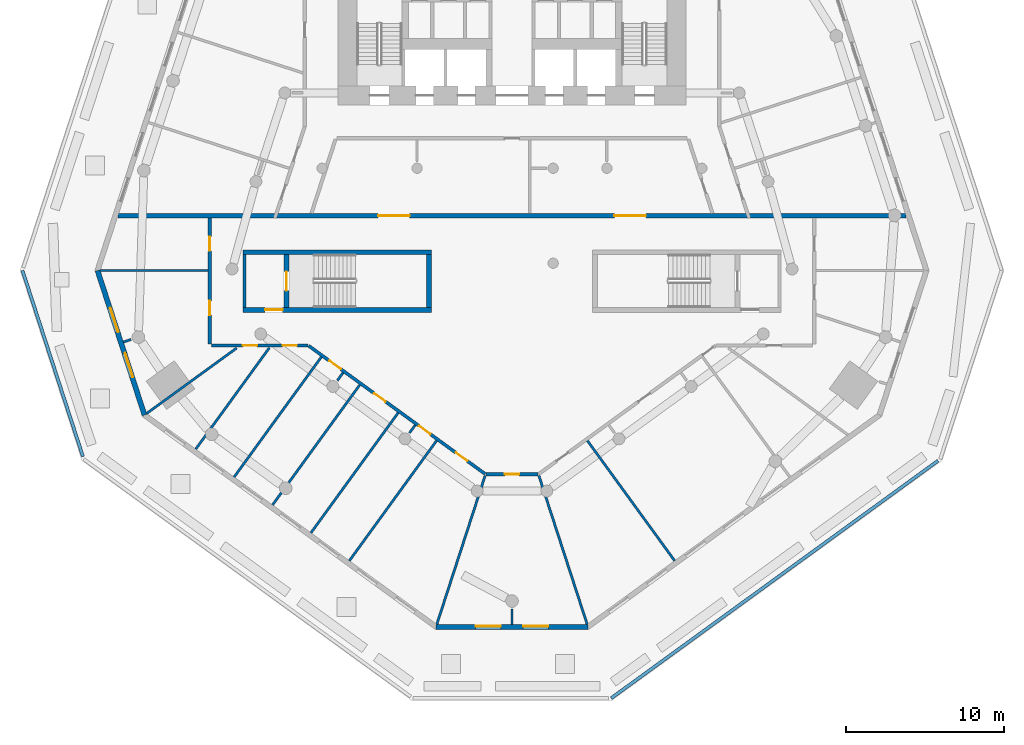
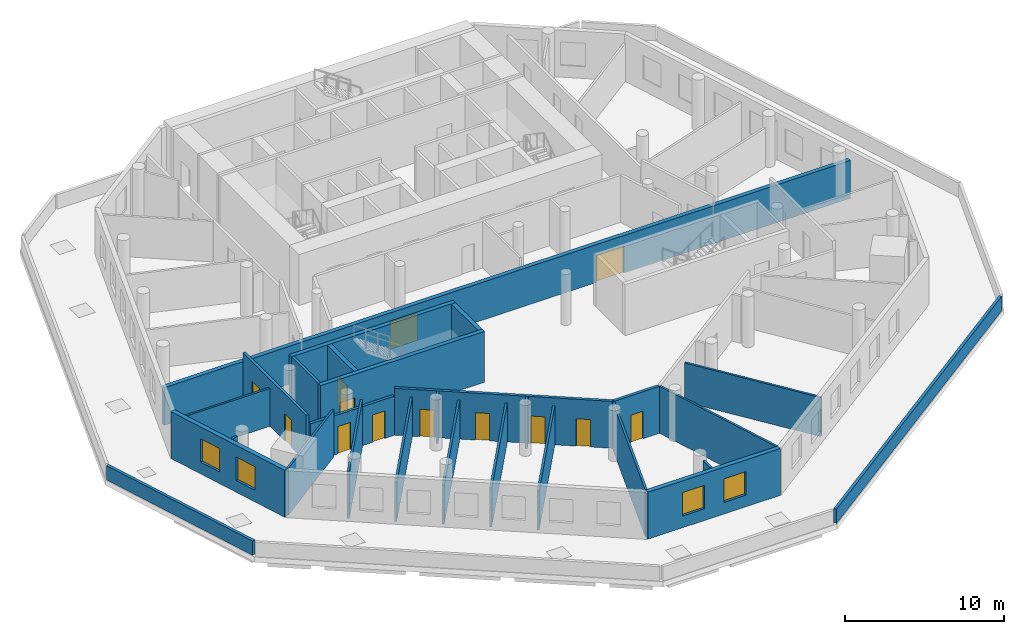
# One storey, part 3 of 10: 28 walls, 13 doors, 4 windows, 17 openings.
"""IFC4 building model written with IfcOpenShell, lengths in metres."""

from ifc_helpers import new_model, si_unit, direction, frame, frame_2d, origin, place, context, subcontext, project, spatial, rectangle, extrude, material, layer, layer_set, type_object, element, fill, save


model = new_model("IFC4")

# Units and contexts
model_context = context("Model", 3, precision=1e-05, world=origin(), true_north=direction((0.0, 1.0)))
body_context = subcontext(model_context, "Body", "Model", "MODEL_VIEW")
ifc_project = project(units=[si_unit("LENGTHUNIT", "METRE"), si_unit("AREAUNIT", "SQUARE_METRE"), si_unit("VOLUMEUNIT", "CUBIC_METRE"), si_unit("PLANEANGLEUNIT", "RADIAN"), si_unit("MASSUNIT", "GRAM", prefix="KILO")], contexts=[model_context])

# Site, building, storey
site_placement = place(None, origin())
site = spatial("IfcSite", under=ifc_project, at=site_placement, CompositionType="ELEMENT")
building_placement = place(site_placement, origin())
building = spatial("IfcBuilding", under=site, at=building_placement, Name="White Candle Pilgrim Tower", CompositionType="ELEMENT")
storey_placement = place(building_placement, frame((0.0, 0.0, 39.0)))
storey = spatial("IfcBuildingStorey", under=building, at=storey_placement, Name="L06", CompositionType="ELEMENT", Elevation=39.0)

# Wall
ifc_material_1 = material(Name="Concrete C70/85", Category="concrete")
ifc_layer_1 = layer(ifc_material_1, 0.199951171875)
ifc_layer_set_1 = layer_set([ifc_layer_1], Name="Core wall 200 mm Concrete C70/85")
wall_type_1 = type_object("IfcWallType", Name="Core wall 200 mm Concrete C70/85", PredefinedType="SHEAR", material=ifc_layer_set_1)
wall_1_placement = place(storey_placement, frame((53.10009765625, 58.199951171875, 0.0), z_axis=(0.0, 0.0, 1.0), x_axis=(0.0, 1.0, 0.0)))
element("IfcWall", 1, at=wall_1_placement, inside=storey, type_object=wall_type_1, Name="WL-L06-C03", PredefinedType="SHEAR", context=body_context, shape_type="SweptSolid", body=[
    extrude(rectangle(XDim=3.35009765625, YDim=0.199951171875, at=frame_2d((1.675048828125, 0.0))), origin(), (0.0, 0.0, 1.0), 3.89990234375),
])

# Wall, opening, door
ifc_material_2 = material(Name="Gypsum board on steel studs", Category="steel")
ifc_layer_2 = layer(ifc_material_2, 0.199951171875)
ifc_layer_set_2 = layer_set([ifc_layer_2], Name="Corridor wall 200 mm EI 45")
wall_type_2 = type_object("IfcWallType", Name="Corridor wall 200 mm EI 45", PredefinedType="PARTITIONING", material=ifc_layer_set_2)
wall_2_placement = place(storey_placement, frame((71.637451171875, 47.6611328125, 0.0), z_axis=(0.0, 0.0, 1.0), x_axis=(-1.0, 0.0, 0.0)))
wall_2 = element("IfcWall", 2, at=wall_2_placement, inside=storey, type_object=wall_type_2, Name="WL-L06-P009", PredefinedType="PARTITIONING", context=body_context, shape_type="SweptSolid", body=[
    extrude(rectangle(XDim=3.27490234375, YDim=0.199951171875, at=frame_2d((1.637451171875, 0.0))), origin(), (0.0, 0.0, 1.0), 3.60009765625),
])
opening_1_placement = place(wall_2_placement, frame((1.1875, 0.0, 0.0)))
opening_1 = element("IfcOpeningElement", 3, at=opening_1_placement, cuts=wall_2, Name="Opening T01-108", PredefinedType="OPENING", context=body_context, shape_type="SweptSolid", body=[
    extrude(rectangle(XDim=0.89990234375, YDim=2.10009765625, at=frame_2d((0.449951171875, 1.050048828125))), frame((0.0, 0.10986328125, 0.0), z_axis=(0.0, -1.0, 0.0), x_axis=(1.0, 0.0, 0.0)), (0.0, 0.0, 1.0), 0.219970703125),
])
ifc_material_3 = material(Name="Steel door leaf", Category="steel")
door_type_1 = type_object("IfcDoorType", Name="Fire door 900 x 2100 EI 30", OperationType="NOTDEFINED", PredefinedType="DOOR", material=ifc_material_3)
door_1_placement = place(opening_1_placement, origin())
door_1 = element("IfcDoor", 4, at=door_1_placement, inside=storey, type_object=door_type_1, Name="Door T01-108", OperationType="SINGLE_SWING_RIGHT", OverallHeight=2.10009765625, OverallWidth=0.89990234375, PredefinedType="DOOR", context=body_context, shape_type="SweptSolid", body=[
    extrude(rectangle(XDim=0.89990234375, YDim=2.10009765625, at=frame_2d((0.449951171875, 1.050048828125))), frame((0.0, 0.02490234375, 0.0), z_axis=(0.0, -1.0, 0.0), x_axis=(1.0, 0.0, 0.0)), (0.0, 0.0, 1.0), 0.050048828125),
])
fill(opening_1, door_1)

# Wall, openings, doors
wall_3_placement = place(storey_placement, frame((68.3037109375, 47.68017578125, 0.0), z_axis=(0.0, 0.0, 1.0), x_axis=(-0.80901253571, 0.587791389069, 0.0)))
wall_3 = element("IfcWall", 5, at=wall_3_placement, inside=storey, type_object=wall_type_2, Name="WL-L06-P010", PredefinedType="PARTITIONING", context=body_context, shape_type="SweptSolid", body=[
    extrude(rectangle(XDim=13.78173828125, YDim=0.199951171875, at=frame_2d((6.890869140625, 0.0))), origin(), (0.0, 0.0, 1.0), 3.60009765625),
])
opening_2_placement = place(wall_3_placement, frame((11.270263671875, 0.0, 0.0)))
opening_2 = element("IfcOpeningElement", 6, at=opening_2_placement, cuts=wall_3, Name="Opening T01-104", PredefinedType="OPENING", context=body_context, shape_type="SweptSolid", body=[
    extrude(rectangle(XDim=0.89990234375, YDim=2.10009765625, at=frame_2d((0.449951171875, 1.050048828125))), frame((0.0, 0.10986328125, 0.0), z_axis=(0.0, -1.0, 0.0), x_axis=(1.0, 0.0, 0.0)), (0.0, 0.0, 1.0), 0.219970703125),
])
opening_3_placement = place(wall_3_placement, frame((7.770263671875, 0.0, 0.0)))
opening_3 = element("IfcOpeningElement", 7, at=opening_3_placement, cuts=wall_3, Name="Opening T01-105", PredefinedType="OPENING", context=body_context, shape_type="SweptSolid", body=[
    extrude(rectangle(XDim=0.89990234375, YDim=2.10009765625, at=frame_2d((0.449951171875, 1.050048828125))), frame((0.0, 0.10986328125, 0.0), z_axis=(0.0, -1.0, 0.0), x_axis=(1.0, 0.0, 0.0)), (0.0, 0.0, 1.0), 0.219970703125),
])
opening_4_placement = place(wall_3_placement, frame((4.270263671875, 0.0, 0.0)))
opening_4 = element("IfcOpeningElement", 8, at=opening_4_placement, cuts=wall_3, Name="Opening T01-106", PredefinedType="OPENING", context=body_context, shape_type="SweptSolid", body=[
    extrude(rectangle(XDim=0.89990234375, YDim=2.10009765625, at=frame_2d((0.449951171875, 1.050048828125))), frame((0.0, 0.10986328125, 0.0), z_axis=(0.0, -1.0, 0.0), x_axis=(1.0, 0.0, 0.0)), (0.0, 0.0, 1.0), 0.219970703125),
])
opening_5_placement = place(wall_3_placement, frame((1.393798828125, 0.0, 0.0)))
opening_5 = element("IfcOpeningElement", 9, at=opening_5_placement, cuts=wall_3, Name="Opening T01-107", PredefinedType="OPENING", context=body_context, shape_type="SweptSolid", body=[
    extrude(rectangle(XDim=0.89990234375, YDim=2.10009765625, at=frame_2d((0.449951171875, 1.050048828125))), frame((0.0, 0.10986328125, 0.0), z_axis=(0.0, -1.0, 0.0), x_axis=(1.0, 0.0, 0.0)), (0.0, 0.0, 1.0), 0.219970703125),
])
door_2_placement = place(opening_2_placement, origin())
door_2 = element("IfcDoor", 10, at=door_2_placement, inside=storey, type_object=door_type_1, Name="Door T01-104", OperationType="SINGLE_SWING_RIGHT", OverallHeight=2.10009765625, OverallWidth=0.89990234375, PredefinedType="DOOR", context=body_context, shape_type="SweptSolid", body=[
    extrude(rectangle(XDim=0.89990234375, YDim=2.10009765625, at=frame_2d((0.449951171875, 1.050048828125))), frame((0.0, 0.02490234375, 0.0), z_axis=(0.0, -1.0, 0.0), x_axis=(1.0, 0.0, 0.0)), (0.0, 0.0, 1.0), 0.050048828125),
])
fill(opening_2, door_2)
door_3_placement = place(opening_3_placement, origin())
door_3 = element("IfcDoor", 11, at=door_3_placement, inside=storey, type_object=door_type_1, Name="Door T01-105", OperationType="SINGLE_SWING_LEFT", OverallHeight=2.10009765625, OverallWidth=0.89990234375, PredefinedType="DOOR", context=body_context, shape_type="SweptSolid", body=[
    extrude(rectangle(XDim=0.89990234375, YDim=2.10009765625, at=frame_2d((0.449951171875, 1.050048828125))), frame((0.0, 0.02490234375, 0.0), z_axis=(0.0, -1.0, 0.0), x_axis=(1.0, 0.0, 0.0)), (0.0, 0.0, 1.0), 0.050048828125),
])
fill(opening_3, door_3)
door_4_placement = place(opening_4_placement, origin())
door_4 = element("IfcDoor", 12, at=door_4_placement, inside=storey, type_object=door_type_1, Name="Door T01-106", OperationType="SINGLE_SWING_LEFT", OverallHeight=2.10009765625, OverallWidth=0.89990234375, PredefinedType="DOOR", context=body_context, shape_type="SweptSolid", body=[
    extrude(rectangle(XDim=0.89990234375, YDim=2.10009765625, at=frame_2d((0.449951171875, 1.050048828125))), frame((0.0, 0.02490234375, 0.0), z_axis=(0.0, -1.0, 0.0), x_axis=(1.0, 0.0, 0.0)), (0.0, 0.0, 1.0), 0.050048828125),
])
fill(opening_4, door_4)
door_5_placement = place(opening_5_placement, origin())
door_5 = element("IfcDoor", 13, at=door_5_placement, inside=storey, type_object=door_type_1, Name="Door T01-107", OperationType="SINGLE_SWING_LEFT", OverallHeight=2.10009765625, OverallWidth=0.89990234375, PredefinedType="DOOR", context=body_context, shape_type="SweptSolid", body=[
    extrude(rectangle(XDim=0.89990234375, YDim=2.10009765625, at=frame_2d((0.449951171875, 1.050048828125))), frame((0.0, 0.02490234375, 0.0), z_axis=(0.0, -1.0, 0.0), x_axis=(1.0, 0.0, 0.0)), (0.0, 0.0, 1.0), 0.050048828125),
])
fill(opening_5, door_5)

wall_4_placement = place(storey_placement, frame((57.095458984375, 55.800048828125, 0.0), z_axis=(0.0, 0.0, 1.0), x_axis=(-1.0, 0.0, 0.0)))
wall_4 = element("IfcWall", 14, at=wall_4_placement, inside=storey, type_object=wall_type_2, Name="WL-L06-P011", PredefinedType="PARTITIONING", context=body_context, shape_type="SweptSolid", body=[
    extrude(rectangle(XDim=6.095458984375, YDim=0.199951171875, at=frame_2d((3.0478515625, 0.0))), origin(), (0.0, 0.0, 1.0), 3.0),
])
opening_6_placement = place(wall_4_placement, frame((3.196533203125, 0.0, 0.0)))
opening_6 = element("IfcOpeningElement", 15, at=opening_6_placement, cuts=wall_4, Name="Opening T01-102", PredefinedType="OPENING", context=body_context, shape_type="SweptSolid", body=[
    extrude(rectangle(XDim=0.89990234375, YDim=2.10009765625, at=frame_2d((0.449951171875, 1.050048828125))), frame((0.0, 0.10986328125, 0.0), z_axis=(0.0, -1.0, 0.0), x_axis=(1.0, 0.0, 0.0)), (0.0, 0.0, 1.0), 0.219970703125),
])
opening_7_placement = place(wall_4_placement, frame((0.695556640625, 0.0, 0.0)))
opening_7 = element("IfcOpeningElement", 16, at=opening_7_placement, cuts=wall_4, Name="Opening T01-103", PredefinedType="OPENING", context=body_context, shape_type="SweptSolid", body=[
    extrude(rectangle(XDim=0.89990234375, YDim=2.10009765625, at=frame_2d((0.449951171875, 1.050048828125))), frame((0.0, 0.10986328125, 0.0), z_axis=(0.0, -1.0, 0.0), x_axis=(1.0, 0.0, 0.0)), (0.0, 0.0, 1.0), 0.219970703125),
])
door_6_placement = place(opening_6_placement, origin())
door_6 = element("IfcDoor", 17, at=door_6_placement, inside=storey, type_object=door_type_1, Name="Door T01-102", OperationType="SINGLE_SWING_RIGHT", OverallHeight=2.10009765625, OverallWidth=0.89990234375, PredefinedType="DOOR", context=body_context, shape_type="SweptSolid", body=[
    extrude(rectangle(XDim=0.89990234375, YDim=2.10009765625, at=frame_2d((0.449951171875, 1.050048828125))), frame((0.0, 0.02490234375, 0.0), z_axis=(0.0, -1.0, 0.0), x_axis=(1.0, 0.0, 0.0)), (0.0, 0.0, 1.0), 0.050048828125),
])
fill(opening_6, door_6)
door_7_placement = place(opening_7_placement, origin())
door_7 = element("IfcDoor", 18, at=door_7_placement, inside=storey, type_object=door_type_1, Name="Door T01-103", OperationType="SINGLE_SWING_LEFT", OverallHeight=2.10009765625, OverallWidth=0.89990234375, PredefinedType="DOOR", context=body_context, shape_type="SweptSolid", body=[
    extrude(rectangle(XDim=0.89990234375, YDim=2.10009765625, at=frame_2d((0.449951171875, 1.050048828125))), frame((0.0, 0.02490234375, 0.0), z_axis=(0.0, -1.0, 0.0), x_axis=(1.0, 0.0, 0.0)), (0.0, 0.0, 1.0), 0.050048828125),
])
fill(opening_7, door_7)

wall_5_placement = place(storey_placement, frame((50.89990234375, 55.89990234375, 0.0), z_axis=(0.0, 0.0, 1.0), x_axis=(0.0, 1.0, 0.0)))
wall_5 = element("IfcWall", 19, at=wall_5_placement, inside=storey, type_object=wall_type_2, Name="WL-L06-P012", PredefinedType="PARTITIONING", context=body_context, shape_type="SweptSolid", body=[
    extrude(rectangle(XDim=7.9501953125, YDim=0.199951171875, at=frame_2d((3.97509765625, 0.0))), origin(), (0.0, 0.0, 1.0), 3.60009765625),
])
opening_8_placement = place(wall_5_placement, frame((1.819580078125, 0.0, 0.0)))
opening_8 = element("IfcOpeningElement", 20, at=opening_8_placement, cuts=wall_5, Name="Opening T01-101", PredefinedType="OPENING", context=body_context, shape_type="SweptSolid", body=[
    extrude(rectangle(XDim=0.89990234375, YDim=2.10009765625, at=frame_2d((0.449951171875, 1.050048828125))), frame((0.0, 0.10986328125, 0.0), z_axis=(0.0, -1.0, 0.0), x_axis=(1.0, 0.0, 0.0)), (0.0, 0.0, 1.0), 0.219970703125),
])
opening_9_placement = place(wall_5_placement, frame((5.882080078125, 0.0, 0.0)))
opening_9 = element("IfcOpeningElement", 21, at=opening_9_placement, cuts=wall_5, Name="Opening T01-116", PredefinedType="OPENING", context=body_context, shape_type="SweptSolid", body=[
    extrude(rectangle(XDim=0.89990234375, YDim=2.10009765625, at=frame_2d((0.449951171875, 1.050048828125))), frame((0.0, 0.10986328125, 0.0), z_axis=(0.0, -1.0, 0.0), x_axis=(1.0, 0.0, 0.0)), (0.0, 0.0, 1.0), 0.219970703125),
])
door_8_placement = place(opening_8_placement, origin())
door_8 = element("IfcDoor", 22, at=door_8_placement, inside=storey, type_object=door_type_1, Name="Door T01-101", OperationType="SINGLE_SWING_LEFT", OverallHeight=2.10009765625, OverallWidth=0.89990234375, PredefinedType="DOOR", context=body_context, shape_type="SweptSolid", body=[
    extrude(rectangle(XDim=0.89990234375, YDim=2.10009765625, at=frame_2d((0.449951171875, 1.050048828125))), frame((0.0, 0.02490234375, 0.0), z_axis=(0.0, -1.0, 0.0), x_axis=(1.0, 0.0, 0.0)), (0.0, 0.0, 1.0), 0.050048828125),
])
fill(opening_8, door_8)
door_9_placement = place(opening_9_placement, origin())
door_9 = element("IfcDoor", 23, at=door_9_placement, inside=storey, type_object=door_type_1, Name="Door T01-116", OperationType="SINGLE_SWING_RIGHT", OverallHeight=2.10009765625, OverallWidth=0.89990234375, PredefinedType="DOOR", context=body_context, shape_type="SweptSolid", body=[
    extrude(rectangle(XDim=0.89990234375, YDim=2.10009765625, at=frame_2d((0.449951171875, 1.050048828125))), frame((0.0, 0.02490234375, 0.0), z_axis=(0.0, -1.0, 0.0), x_axis=(1.0, 0.0, 0.0)), (0.0, 0.0, 1.0), 0.050048828125),
])
fill(opening_9, door_9)

# Wall, openings, windows
ifc_material_4 = material(Name="Precast concrete C40/50", Category="concrete")
ifc_layer_3 = layer(ifc_material_4, 0.320068359375)
ifc_layer_set_3 = layer_set([ifc_layer_3], Name="Facade wall EW1 precast concrete C40/50 pier wall with timber-lined reveals")
wall_type_3 = type_object("IfcWallType", Name="Facade wall EW1 precast concrete C40/50 pier wall with timber-lined reveals", PredefinedType="SOLIDWALL", material=ifc_layer_set_3)
wall_6_placement = place(storey_placement, frame((43.80859375, 60.5390625, 0.0), z_axis=(0.0, 0.0, 1.0), x_axis=(0.309034915099, -0.951050693312, 0.0)))
wall_6 = element("IfcWall", 24, at=wall_6_placement, inside=storey, type_object=wall_type_3, Name="Facade wall L06 W chamfer", PredefinedType="SOLIDWALL", context=body_context, shape_type="SweptSolid", body=[
    extrude(rectangle(XDim=9.604248046875, YDim=0.320068359375, at=frame_2d((4.80224609375, 0.0))), origin(), (0.0, 0.0, 1.0), 3.60009765625),
])
opening_10_placement = place(wall_6_placement, frame((2.502197265625, 0.0, 0.89990234375)))
opening_10 = element("IfcOpeningElement", 25, at=opening_10_placement, cuts=wall_6, Name="Opening W2", PredefinedType="OPENING", context=body_context, shape_type="SweptSolid", body=[
    extrude(rectangle(XDim=1.60009765625, YDim=1.800048828125, at=frame_2d((0.800048828125, 0.89990234375))), frame((0.0, 0.169921875, 0.0), z_axis=(0.0, -1.0, 0.0), x_axis=(1.0, 0.0, 0.0)), (0.0, 0.0, 1.0), 0.340087890625),
])
opening_11_placement = place(wall_6_placement, frame((5.502197265625, 0.0, 0.89990234375)))
opening_11 = element("IfcOpeningElement", 26, at=opening_11_placement, cuts=wall_6, Name="Opening W2", PredefinedType="OPENING", context=body_context, shape_type="SweptSolid", body=[
    extrude(rectangle(XDim=1.60009765625, YDim=1.800048828125, at=frame_2d((0.800048828125, 0.89990234375))), frame((0.0, 0.169921875, 0.0), z_axis=(0.0, -1.0, 0.0), x_axis=(1.0, 0.0, 0.0)), (0.0, 0.0, 1.0), 0.340087890625),
])
ifc_material_5 = material(Name="Timber frame with triple glazing", Category="wood")
window_type = type_object("IfcWindowType", Name="Window W2 1600x1800 timber frame triple glazing", PartitioningType="SINGLE_PANEL", PredefinedType="WINDOW", material=ifc_material_5)
window_1_placement = place(opening_10_placement, origin())
window_1 = element("IfcWindow", 27, at=window_1_placement, inside=storey, type_object=window_type, Name="Window W2 L06 W chamfer 1", OverallHeight=1.800048828125, OverallWidth=1.60009765625, PartitioningType="SINGLE_PANEL", PredefinedType="WINDOW", context=body_context, shape_type="SweptSolid", body=[
    extrude(rectangle(XDim=1.60009765625, YDim=1.800048828125, at=frame_2d((0.800048828125, 0.89990234375))), frame((0.0, 0.070068359375, 0.0), z_axis=(0.0, -1.0, 0.0), x_axis=(1.0, 0.0, 0.0)), (0.0, 0.0, 1.0), 0.06005859375),
])
fill(opening_10, window_1)
window_2_placement = place(opening_11_placement, origin())
window_2 = element("IfcWindow", 28, at=window_2_placement, inside=storey, type_object=window_type, Name="Window W2 L06 W chamfer 2", OverallHeight=1.800048828125, OverallWidth=1.60009765625, PartitioningType="SINGLE_PANEL", PredefinedType="WINDOW", context=body_context, shape_type="SweptSolid", body=[
    extrude(rectangle(XDim=1.60009765625, YDim=1.800048828125, at=frame_2d((0.800048828125, 0.89990234375))), frame((0.0, 0.070068359375, 0.0), z_axis=(0.0, -1.0, 0.0), x_axis=(1.0, 0.0, 0.0)), (0.0, 0.0, 1.0), 0.06005859375),
])
fill(opening_11, window_2)

wall_7_placement = place(storey_placement, frame((65.197998046875, 38.02099609375, 0.0), z_axis=(0.0, 0.0, 1.0), x_axis=(1.0, 0.0, 0.0)))
wall_7 = element("IfcWall", 29, at=wall_7_placement, inside=storey, type_object=wall_type_3, Name="Facade wall L06 S chamfer", PredefinedType="SOLIDWALL", context=body_context, shape_type="SweptSolid", body=[
    extrude(rectangle(XDim=9.60400390625, YDim=0.320068359375, at=frame_2d((4.802001953125, 0.0))), origin(), (0.0, 0.0, 1.0), 3.60009765625),
])
opening_12_placement = place(wall_7_placement, frame((2.502197265625, 0.0, 0.89990234375)))
opening_12 = element("IfcOpeningElement", 30, at=opening_12_placement, cuts=wall_7, Name="Opening W2", PredefinedType="OPENING", context=body_context, shape_type="SweptSolid", body=[
    extrude(rectangle(XDim=1.60009765625, YDim=1.800048828125, at=frame_2d((0.800048828125, 0.89990234375))), frame((0.0, 0.169921875, 0.0), z_axis=(0.0, -1.0, 0.0), x_axis=(1.0, 0.0, 0.0)), (0.0, 0.0, 1.0), 0.340087890625),
])
opening_13_placement = place(wall_7_placement, frame((5.502197265625, 0.0, 0.89990234375)))
opening_13 = element("IfcOpeningElement", 31, at=opening_13_placement, cuts=wall_7, Name="Opening W2", PredefinedType="OPENING", context=body_context, shape_type="SweptSolid", body=[
    extrude(rectangle(XDim=1.60009765625, YDim=1.800048828125, at=frame_2d((0.800048828125, 0.89990234375))), frame((0.0, 0.169921875, 0.0), z_axis=(0.0, -1.0, 0.0), x_axis=(1.0, 0.0, 0.0)), (0.0, 0.0, 1.0), 0.340087890625),
])
window_3_placement = place(opening_12_placement, origin())
window_3 = element("IfcWindow", 32, at=window_3_placement, inside=storey, type_object=window_type, Name="Window W2 L06 S chamfer 1", OverallHeight=1.800048828125, OverallWidth=1.60009765625, PartitioningType="SINGLE_PANEL", PredefinedType="WINDOW", context=body_context, shape_type="SweptSolid", body=[
    extrude(rectangle(XDim=1.60009765625, YDim=1.800048828125, at=frame_2d((0.800048828125, 0.89990234375))), frame((0.0, 0.070068359375, 0.0), z_axis=(0.0, -1.0, 0.0), x_axis=(1.0, 0.0, 0.0)), (0.0, 0.0, 1.0), 0.06005859375),
])
fill(opening_12, window_3)
window_4_placement = place(opening_13_placement, origin())
window_4 = element("IfcWindow", 33, at=window_4_placement, inside=storey, type_object=window_type, Name="Window W2 L06 S chamfer 2", OverallHeight=1.800048828125, OverallWidth=1.60009765625, PartitioningType="SINGLE_PANEL", PredefinedType="WINDOW", context=body_context, shape_type="SweptSolid", body=[
    extrude(rectangle(XDim=1.60009765625, YDim=1.800048828125, at=frame_2d((0.800048828125, 0.89990234375))), frame((0.0, 0.070068359375, 0.0), z_axis=(0.0, -1.0, 0.0), x_axis=(1.0, 0.0, 0.0)), (0.0, 0.0, 1.0), 0.06005859375),
])
fill(opening_13, window_4)

# Wall, openings, doors
ifc_material_6 = material(Name="Aerated concrete block", Category="concrete")
ifc_layer_4 = layer(ifc_material_6, 0.300048828125)
ifc_layer_set_4 = layer_set([ifc_layer_4], Name="Fire wall 300 mm REI 240")
wall_type_4 = type_object("IfcWallType", Name="Fire wall 300 mm REI 240", PredefinedType="PARTITIONING", material=ifc_layer_set_4)
wall_8_placement = place(storey_placement, frame((45.101318359375, 64.0, 0.0), z_axis=(0.0, 0.0, 1.0), x_axis=(1.0, 0.0, 0.0)))
wall_8 = element("IfcWall", 34, at=wall_8_placement, inside=storey, type_object=wall_type_4, Name="WL-L06-P001", PredefinedType="PARTITIONING", context=body_context, shape_type="SweptSolid", body=[
    extrude(rectangle(XDim=49.79736328125, YDim=0.300048828125, at=frame_2d((24.898681640625, 0.0))), origin(), (0.0, 0.0, 1.0), 2.89990234375),
])
opening_14_placement = place(wall_8_placement, frame((16.43310546875, 0.0, 0.0)))
opening_14 = element("IfcOpeningElement", 35, at=opening_14_placement, cuts=wall_8, Name="Opening T01-114", PredefinedType="OPENING", context=body_context, shape_type="SweptSolid", body=[
    extrude(rectangle(XDim=2.0, YDim=2.10009765625, at=frame_2d((1.0, 1.050048828125))), frame((0.0, 0.159912109375, 0.0), z_axis=(0.0, -1.0, 0.0), x_axis=(1.0, 0.0, 0.0)), (0.0, 0.0, 1.0), 0.320068359375),
])
opening_15_placement = place(wall_8_placement, frame((31.364013671875, 0.0, 0.0)))
opening_15 = element("IfcOpeningElement", 36, at=opening_15_placement, cuts=wall_8, Name="Opening T01-115", PredefinedType="OPENING", context=body_context, shape_type="SweptSolid", body=[
    extrude(rectangle(XDim=2.0, YDim=2.10009765625, at=frame_2d((1.0, 1.050048828125))), frame((0.0, 0.159912109375, 0.0), z_axis=(0.0, -1.0, 0.0), x_axis=(1.0, 0.0, 0.0)), (0.0, 0.0, 1.0), 0.320068359375),
])
door_type_2 = type_object("IfcDoorType", Name="Fire door 2000 x 2100 EI 60", OperationType="NOTDEFINED", PredefinedType="DOOR", material=ifc_material_3)
door_10_placement = place(opening_14_placement, origin())
door_10 = element("IfcDoor", 37, at=door_10_placement, inside=storey, type_object=door_type_2, Name="Door T01-114", OperationType="DOUBLE_DOOR_SINGLE_SWING", OverallHeight=2.10009765625, OverallWidth=2.0, PredefinedType="DOOR", context=body_context, shape_type="SweptSolid", body=[
    extrude(rectangle(XDim=2.0, YDim=2.10009765625, at=frame_2d((1.0, 1.050048828125))), frame((0.0, 0.02490234375, 0.0), z_axis=(0.0, -1.0, 0.0), x_axis=(1.0, 0.0, 0.0)), (0.0, 0.0, 1.0), 0.050048828125),
])
fill(opening_14, door_10)
door_11_placement = place(opening_15_placement, origin())
door_11 = element("IfcDoor", 38, at=door_11_placement, inside=storey, type_object=door_type_2, Name="Door T01-115", OperationType="DOUBLE_DOOR_SINGLE_SWING", OverallHeight=2.10009765625, OverallWidth=2.0, PredefinedType="DOOR", context=body_context, shape_type="SweptSolid", body=[
    extrude(rectangle(XDim=2.0, YDim=2.10009765625, at=frame_2d((1.0, 1.050048828125))), frame((0.0, 0.02490234375, 0.0), z_axis=(0.0, -1.0, 0.0), x_axis=(1.0, 0.0, 0.0)), (0.0, 0.0, 1.0), 0.050048828125),
])
fill(opening_15, door_11)

# Walls
ifc_layer_5 = layer(ifc_material_2, 0.14990234375)
ifc_layer_set_5 = layer_set([ifc_layer_5], Name="Partition 150 mm EI 60")
wall_type_5 = type_object("IfcWallType", Name="Partition 150 mm EI 60", PredefinedType="PARTITIONING", material=ifc_layer_set_5)
wall_9_placement = place(storey_placement, frame((43.976806640625, 60.539306640625, 0.0), z_axis=(0.0, 0.0, 1.0), x_axis=(1.0, 0.0, 0.0)))
element("IfcWall", 39, at=wall_9_placement, inside=storey, type_object=wall_type_5, Name="WL-L06-P017", PredefinedType="PARTITIONING", context=body_context, shape_type="SweptSolid", body=[
    extrude(rectangle(XDim=6.8232421875, YDim=0.14990234375, at=frame_2d((3.41162109375, 0.0))), origin(), (0.0, 0.0, 1.0), 2.89990234375),
])
wall_10_placement = place(storey_placement, frame((46.91259765625, 51.50390625, 0.0), z_axis=(0.0, 0.0, 1.0), x_axis=(0.809010600104, 0.587794053151, 0.0)))
element("IfcWall", 40, at=wall_10_placement, inside=storey, type_object=wall_type_5, Name="WL-L06-P018", PredefinedType="PARTITIONING", context=body_context, shape_type="SweptSolid", body=[
    extrude(rectangle(XDim=7.03564453125, YDim=0.14990234375, at=frame_2d((3.517822265625, 0.0))), origin(), (0.0, 0.0, 1.0), 3.60009765625),
])
for number, where, z_axis, x_axis, name in (
    (41, (65.25, 38.18115234375, 0.0), (0.0, 0.0, 1.0), (0.309000046297, 0.951062022893, 0.0), "WL-L06-P019"),
    (42, (74.75, 38.18115234375, 0.0), (0.0, 0.0, 1.0), (-0.309000046297, 0.951062022893, 0.0), "WL-L06-P020"),
):
    element("IfcWall", number, at=place(storey_placement, frame(where, z_axis=z_axis, x_axis=x_axis)), inside=storey, type_object=wall_type_5, Name=name, PredefinedType="PARTITIONING", context=body_context, shape_type="SweptSolid", body=[
        extrude(rectangle(XDim=9.882568359375, YDim=0.14990234375, at=frame_2d((4.94140625, 0.0))), origin(), (0.0, 0.0, 1.0), 3.60009765625),
    ])
wall_11_placement = place(storey_placement, frame((50.013671875, 49.2509765625, 0.0), z_axis=(0.0, 0.0, 1.0), x_axis=(0.58778841657, 0.809014695384, 0.0)))
element("IfcWall", 43, at=wall_11_placement, inside=storey, type_object=wall_type_5, Name="WL-L06-P027", PredefinedType="PARTITIONING", context=body_context, shape_type="SweptSolid", body=[
    extrude(rectangle(XDim=7.9169921875, YDim=0.14990234375, at=frame_2d((3.95849609375, 0.0))), origin(), (0.0, 0.0, 1.0), 3.60009765625),
])
for number, where, z_axis, x_axis, name in (
    (44, (52.440673828125, 47.487548828125, 0.0), (0.0, 0.0, 1.0), (0.587783184234, 0.809018496903, 0.0), "WL-L06-P028"),
    (45, (54.86767578125, 45.72412109375, 0.0), (0.0, 0.0, 1.0), (0.587783184234, 0.809018496903, 0.0), "WL-L06-P029"),
):
    element("IfcWall", number, at=place(storey_placement, frame(where, z_axis=z_axis, x_axis=x_axis)), inside=storey, type_object=wall_type_5, Name=name, PredefinedType="PARTITIONING", context=body_context, shape_type="SweptSolid", body=[
        extrude(rectangle(XDim=9.380126953125, YDim=0.14990234375, at=frame_2d((4.68994140625, 0.0))), origin(), (0.0, 0.0, 1.0), 3.0),
    ])
for number, where, z_axis, x_axis, name in (
    (46, (57.294921875, 43.960693359375, 0.0), (0.0, 0.0, 1.0), (0.58776614844, 0.809030873792, 0.0), "WL-L06-P030"),
    (47, (59.7216796875, 42.197509765625, 0.0), (0.0, 0.0, 1.0), (0.587795561305, 0.809009504339, 0.0), "WL-L06-P031"),
    (48, (80.2783203125, 42.197509765625, 0.0), (0.0, 0.0, 1.0), (-0.587795561305, 0.809009504339, 0.0), "WL-L06-P032"),
):
    element("IfcWall", number, at=place(storey_placement, frame(where, z_axis=z_axis, x_axis=x_axis)), inside=storey, type_object=wall_type_5, Name=name, PredefinedType="PARTITIONING", context=body_context, shape_type="SweptSolid", body=[
        extrude(rectangle(XDim=9.3798828125, YDim=0.14990234375, at=frame_2d((4.68994140625, 0.0))), origin(), (0.0, 0.0, 1.0), 3.0),
    ])
wall_12_placement = place(storey_placement, frame((45.92529296875, 56.1748046875, 0.0), z_axis=(0.0, 0.0, 1.0), x_axis=(-0.95112295555, -0.30881244053, 0.0)))
element("IfcWall", 49, at=wall_12_placement, inside=storey, type_object=wall_type_5, Name="WL-L06-P039", PredefinedType="PARTITIONING", context=body_context, shape_type="SweptSolid", body=[
    extrude(rectangle(XDim=0.50439453125, YDim=0.14990234375, at=frame_2d((0.252197265625, 0.0))), origin(), (0.0, 0.0, 1.0), 3.60009765625),
])
wall_13_placement = place(storey_placement, frame((70.002197265625, 39.159912109375, 0.0), z_axis=(0.0, 0.0, 1.0), x_axis=(0.0, -1.0, 0.0)))
element("IfcWall", 50, at=wall_13_placement, inside=storey, type_object=wall_type_5, Name="WL-L06-P040", PredefinedType="PARTITIONING", context=body_context, shape_type="SweptSolid", body=[
    extrude(rectangle(XDim=0.978759765625, YDim=0.14990234375, at=frame_2d((0.4892578125, 0.0))), origin(), (0.0, 0.0, 1.0), 3.60009765625),
])
wall_14_placement = place(storey_placement, frame((58.960693359375, 53.58056640625, 0.0), z_axis=(0.0, 0.0, 1.0), x_axis=(0.587866481252, 0.80895797185, 0.0)))
element("IfcWall", 51, at=wall_14_placement, inside=storey, type_object=wall_type_5, Name="WL-L06-P042", PredefinedType="PARTITIONING", context=body_context, shape_type="SweptSolid", body=[
    extrude(rectangle(XDim=0.618408203125, YDim=0.14990234375, at=frame_2d((0.30908203125, 0.0))), origin(), (0.0, 0.0, 1.0), 3.60009765625),
])
wall_15_placement = place(storey_placement, frame((63.520751953125, 50.2705078125, 0.0), z_axis=(0.0, 0.0, 1.0), x_axis=(0.587818121443, 0.808993112519, 0.0)))
element("IfcWall", 52, at=wall_15_placement, inside=storey, type_object=wall_type_5, Name="WL-L06-P043", PredefinedType="PARTITIONING", context=body_context, shape_type="SweptSolid", body=[
    extrude(rectangle(XDim=0.615966796875, YDim=0.14990234375, at=frame_2d((0.30810546875, 0.0))), origin(), (0.0, 0.0, 1.0), 3.60009765625),
])
ifc_layer_6 = layer(ifc_material_4, 0.199951171875)
ifc_layer_set_6 = layer_set([ifc_layer_6], Name="Roof parapet EW5 precast concrete C40/50 200")
wall_type_6 = type_object("IfcWallType", Name="Roof parapet EW5 precast concrete C40/50 200", PredefinedType="SOLIDWALL", material=ifc_layer_set_6)
wall_16_placement = place(storey_placement, frame((96.92236328125, 48.517578125, 0.0), z_axis=(0.0, 0.0, 1.0), x_axis=(-0.80901677135, -0.58778555926, 0.0)))
element("IfcWall", 53, at=wall_16_placement, inside=storey, type_object=wall_type_6, Name="Roof parapet L05", PredefinedType="SOLIDWALL", context=body_context, shape_type="SweptSolid", body=[
    extrude(rectangle(XDim=25.53076171875, YDim=0.199951171875, at=frame_2d((12.765380859375, 0.0))), origin(), (0.0, 0.0, 1.0), 1.10009765625),
])
wall_17_placement = place(storey_placement, frame((42.887451171875, 48.779541015625, 0.0), z_axis=(0.0, 0.0, 1.0), x_axis=(-0.309009725379, 0.951058878104, 0.0)))
element("IfcWall", 54, at=wall_17_placement, inside=storey, type_object=wall_type_6, Name="Roof parapet L05", PredefinedType="SOLIDWALL", context=body_context, shape_type="SweptSolid", body=[
    extrude(rectangle(XDim=12.36474609375, YDim=0.199951171875, at=frame_2d((6.182373046875, 0.0))), origin(), (0.0, 0.0, 1.0), 1.10009765625),
])

# Wall, opening, door
ifc_layer_7 = layer(ifc_material_1, 0.300048828125)
ifc_layer_set_7 = layer_set([ifc_layer_7], Name="Stair shaft wall 300 mm Concrete C70/85")
wall_type_7 = type_object("IfcWallType", Name="Stair shaft wall 300 mm Concrete C70/85", PredefinedType="SHEAR", material=ifc_layer_set_7)
wall_18_placement = place(storey_placement, frame((53.0, 58.050048828125, 0.0), z_axis=(0.0, 0.0, 1.0), x_axis=(1.0, 0.0, 0.0)))
wall_18 = element("IfcWall", 55, at=wall_18_placement, inside=storey, type_object=wall_type_7, Name="WL-L06-C01", PredefinedType="SHEAR", context=body_context, shape_type="SweptSolid", body=[
    extrude(rectangle(XDim=11.89990234375, YDim=0.300048828125, at=frame_2d((5.949951171875, 0.0))), origin(), (0.0, 0.0, 1.0), 3.89990234375),
])
opening_16_placement = place(wall_18_placement, frame((1.39990234375, 0.0, 0.0)))
opening_16 = element("IfcOpeningElement", 56, at=opening_16_placement, cuts=wall_18, Name="Opening T01-007", PredefinedType="OPENING", context=body_context, shape_type="SweptSolid", body=[
    extrude(rectangle(XDim=1.10009765625, YDim=2.10009765625, at=frame_2d((0.550048828125, 1.050048828125))), frame((0.0, 0.159912109375, 0.0), z_axis=(0.0, -1.0, 0.0), x_axis=(1.0, 0.0, 0.0)), (0.0, 0.0, 1.0), 0.320068359375),
])
door_type_3 = type_object("IfcDoorType", Name="Fire door 1100 x 2100 EI 60", OperationType="NOTDEFINED", PredefinedType="DOOR", material=ifc_material_3)
door_12_placement = place(opening_16_placement, origin())
door_12 = element("IfcDoor", 57, at=door_12_placement, inside=storey, type_object=door_type_3, Name="Door T01-007", OperationType="SINGLE_SWING_LEFT", OverallHeight=2.10009765625, OverallWidth=1.10009765625, PredefinedType="DOOR", context=body_context, shape_type="SweptSolid", body=[
    extrude(rectangle(XDim=1.10009765625, YDim=2.10009765625, at=frame_2d((0.550048828125, 1.050048828125))), frame((0.0, 0.02490234375, 0.0), z_axis=(0.0, -1.0, 0.0), x_axis=(1.0, 0.0, 0.0)), (0.0, 0.0, 1.0), 0.050048828125),
])
fill(opening_16, door_12)

wall_19_placement = place(storey_placement, frame((55.75, 58.199951171875, 0.0), z_axis=(0.0, 0.0, 1.0), x_axis=(0.0, 1.0, 0.0)))
wall_19 = element("IfcWall", 58, at=wall_19_placement, inside=storey, type_object=wall_type_7, Name="WL-L06-C04", PredefinedType="SHEAR", context=body_context, shape_type="SweptSolid", body=[
    extrude(rectangle(XDim=3.35009765625, YDim=0.300048828125, at=frame_2d((1.675048828125, 0.0))), origin(), (0.0, 0.0, 1.0), 3.89990234375),
])
opening_17_placement = place(wall_19_placement, frame((1.074951171875, 0.0, 0.0)))
opening_17 = element("IfcOpeningElement", 59, at=opening_17_placement, cuts=wall_19, Name="Opening T01-008", PredefinedType="OPENING", context=body_context, shape_type="SweptSolid", body=[
    extrude(rectangle(XDim=1.199951171875, YDim=2.10009765625, at=frame_2d((0.60009765625, 1.050048828125))), frame((0.0, 0.159912109375, 0.0), z_axis=(0.0, -1.0, 0.0), x_axis=(1.0, 0.0, 0.0)), (0.0, 0.0, 1.0), 0.320068359375),
])
door_type_4 = type_object("IfcDoorType", Name="Fire door 1200 x 2100 EI 60", OperationType="NOTDEFINED", PredefinedType="DOOR", material=ifc_material_3)
door_13_placement = place(opening_17_placement, frame((1.199951171875, 0.0, 0.0), z_axis=(0.0, 0.0, 1.0), x_axis=(-1.0, 0.0, 0.0)))
door_13 = element("IfcDoor", 60, at=door_13_placement, inside=storey, type_object=door_type_4, Name="Door T01-008", OperationType="SINGLE_SWING_LEFT", OverallHeight=2.10009765625, OverallWidth=1.199951171875, PredefinedType="DOOR", context=body_context, shape_type="SweptSolid", body=[
    extrude(rectangle(XDim=1.199951171875, YDim=2.10009765625, at=frame_2d((0.60009765625, 1.050048828125))), frame((0.0, 0.02490234375, 0.0), z_axis=(0.0, -1.0, 0.0), x_axis=(1.0, 0.0, 0.0)), (0.0, 0.0, 1.0), 0.050048828125),
])
fill(opening_17, door_13)

# Walls
wall_20_placement = place(storey_placement, frame((64.75, 58.199951171875, 0.0), z_axis=(0.0, 0.0, 1.0), x_axis=(0.0, 1.0, 0.0)))
element("IfcWall", 61, at=wall_20_placement, inside=storey, type_object=wall_type_7, Name="WL-L06-C05", PredefinedType="SHEAR", context=body_context, shape_type="SweptSolid", body=[
    extrude(rectangle(XDim=3.35009765625, YDim=0.300048828125, at=frame_2d((1.675048828125, 0.0))), origin(), (0.0, 0.0, 1.0), 3.89990234375),
])
wall_21_placement = place(storey_placement, frame((53.0, 61.699951171875, 0.0), z_axis=(0.0, 0.0, 1.0), x_axis=(1.0, 0.0, 0.0)))
element("IfcWall", 62, at=wall_21_placement, inside=storey, type_object=wall_type_7, Name="WL-L06-C09", PredefinedType="SHEAR", context=body_context, shape_type="SweptSolid", body=[
    extrude(rectangle(XDim=11.89990234375, YDim=0.300048828125, at=frame_2d((5.949951171875, 0.0))), origin(), (0.0, 0.0, 1.0), 3.89990234375),
])

save(model, "model.ifc")
